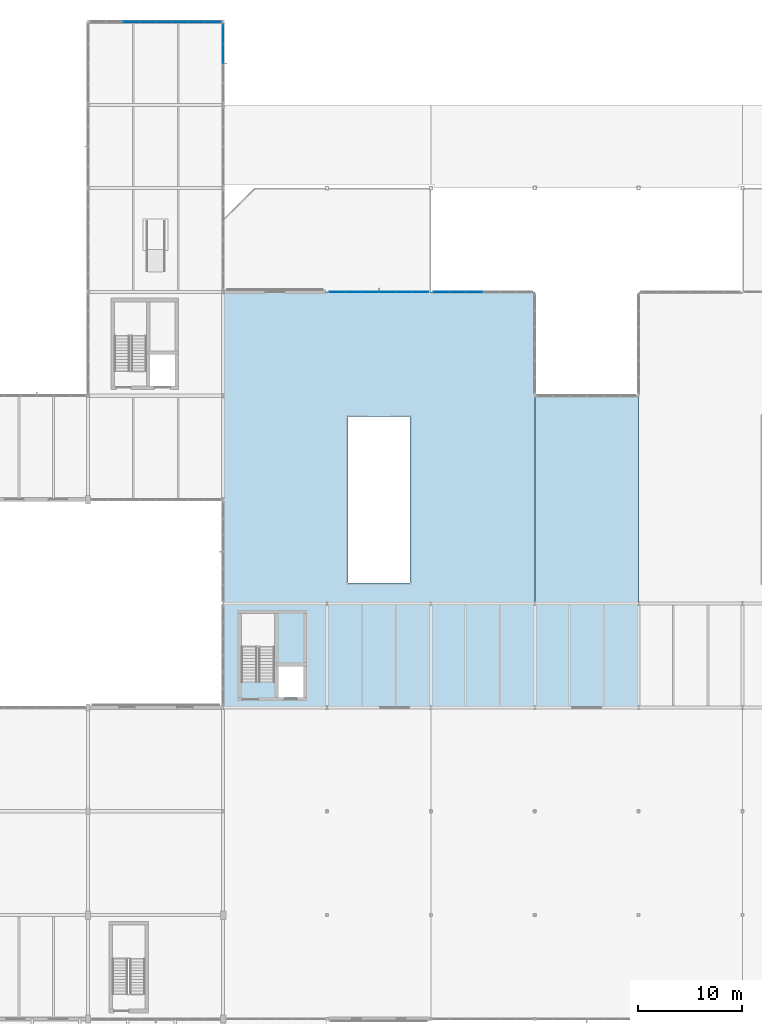
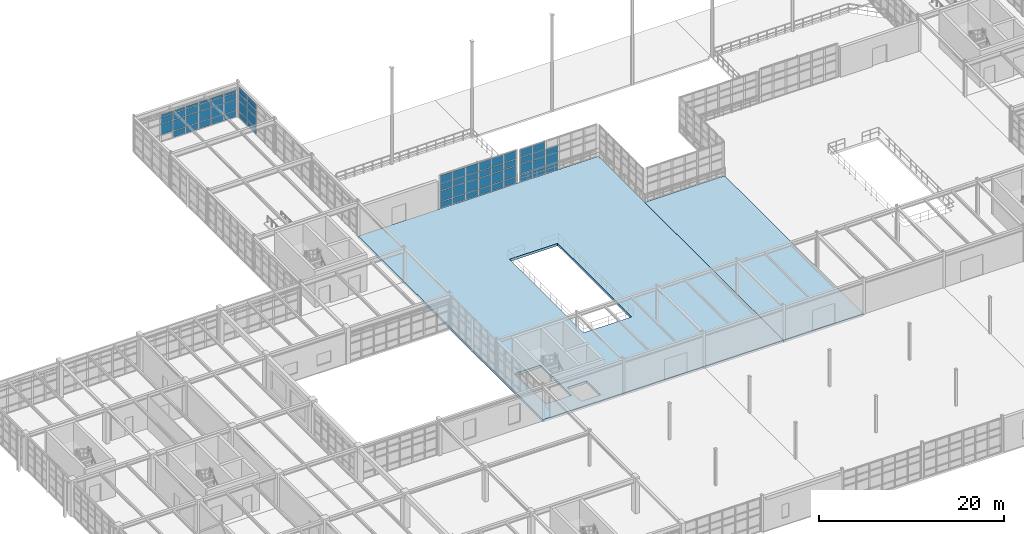
# One storey, part 93 of 139: 66 plates, 2 slabs, 4 elements without a shape of their own.
"""IFC4 building model written with IfcOpenShell, lengths in metres."""

from ifc_helpers import new_model, si_unit, direction, frame, origin, origin_2d, place, context, subcontext, project, spatial, polyline, rectangle, outline, extrude, material, layer, layer_set, type_object, element, aggregate, save


model = new_model("IFC4")

# Units and contexts
model_context = context("Model", 3, precision=1e-05, world=origin(), true_north=direction((0.0, 1.0)))
body_context = subcontext(model_context, "Body", "Model", "MODEL_VIEW")
ifc_project = project(units=[si_unit("LENGTHUNIT", "METRE"), si_unit("AREAUNIT", "SQUARE_METRE"), si_unit("VOLUMEUNIT", "CUBIC_METRE"), si_unit("PLANEANGLEUNIT", "RADIAN"), si_unit("MASSUNIT", "GRAM", prefix="KILO"), si_unit("THERMODYNAMICTEMPERATUREUNIT", "KELVIN"), si_unit("POWERUNIT", "WATT")], contexts=[model_context])

# Site, building, storey
site_placement = place(None, origin())
site = spatial("IfcSite", under=ifc_project, at=site_placement, CompositionType="ELEMENT")
building_placement = place(site_placement, origin())
building = spatial("IfcBuilding", under=site, at=building_placement, Name="Korenveer Ferry Terminal", CompositionType="ELEMENT")
storey_placement = place(building_placement, frame((0.0, 0.0, 5.39990234375)))
storey = spatial("IfcBuildingStorey", under=building, at=storey_placement, Name="L01", CompositionType="ELEMENT", Elevation=5.39990234375)

# Curtain wall, plates
ifc_material_1 = material(Name="Unitised bronze-and-glass curtain wall", Category="glass")
ifc_layer_1 = layer(ifc_material_1, 0.219970703125)
ifc_layer_set_1 = layer_set([ifc_layer_1], Name="Unitised bronze-and-glass curtain wall")
curtain_wall_type_1 = type_object("IfcCurtainWallType", Name="ENV-CW-52", PredefinedType="USERDEFINED", material=ifc_layer_set_1)
curtain_wall_1_placement = place(storey_placement, frame((63.179931640625, 90.0, 0.0)))
curtain_wall_1 = element("IfcCurtainWall", 1, at=curtain_wall_1_placement, inside=storey, type_object=curtain_wall_type_1, Name="Lancet curtain wall CWX-L01-X63-73-Y90-90", ObjectType="UNITISED CURTAIN WALL", PredefinedType="USERDEFINED")
ifc_material_2 = material(Name="Acoustic laminated marine glazing", Category="glass")
ifc_layer_2 = layer(ifc_material_2, 0.035888671875)
ifc_layer_set_2 = layer_set([ifc_layer_2], Name="Acoustic laminated marine glazing")
plate_type = type_object("IfcPlateType", Name="ENV-CWP-GLZ36", PredefinedType="CURTAIN_PANEL", material=ifc_layer_set_2)
plate_1_placement = place(storey_placement, frame((64.002197265625, 90.0, 0.074951171875), z_axis=(0.0, 0.0, 1.0), x_axis=(1.0, 0.0, 0.0)))
plate_1 = element("IfcPlate", 2, at=plate_1_placement, type_object=plate_type, Name="CW-52 panel 1.1", PredefinedType="CURTAIN_PANEL", context=body_context, shape_type="SweptSolid", body=[
    extrude(rectangle(XDim=1.494140625, YDim=0.035888671875, at=origin_2d()), origin(), (0.0, 0.0, 1.0), 0.78759765625),
])
plate_2_placement = place(storey_placement, frame((64.002197265625, 90.0, 0.9375), z_axis=(0.0, 0.0, 1.0), x_axis=(1.0, 0.0, 0.0)))
plate_2 = element("IfcPlate", 3, at=plate_2_placement, type_object=plate_type, Name="CW-52 panel 1.2", PredefinedType="CURTAIN_PANEL", context=body_context, shape_type="SweptSolid", body=[
    extrude(rectangle(XDim=1.494140625, YDim=0.035888671875, at=origin_2d()), origin(), (0.0, 0.0, 1.0), 1.375),
])
plate_3_placement = place(storey_placement, frame((64.002197265625, 90.0, 2.3876953125), z_axis=(0.0, 0.0, 1.0), x_axis=(1.0, 0.0, 0.0)))
plate_3 = element("IfcPlate", 4, at=plate_3_placement, type_object=plate_type, Name="CW-52 panel 1.3", PredefinedType="CURTAIN_PANEL", context=body_context, shape_type="SweptSolid", body=[
    extrude(rectangle(XDim=1.494140625, YDim=0.035888671875, at=origin_2d()), origin(), (0.0, 0.0, 1.0), 0.824951171875),
])
plate_4_placement = place(storey_placement, frame((64.002197265625, 90.0, 3.28759765625), z_axis=(0.0, 0.0, 1.0), x_axis=(1.0, 0.0, 0.0)))
plate_4 = element("IfcPlate", 5, at=plate_4_placement, type_object=plate_type, Name="CW-52 panel 1.4", PredefinedType="CURTAIN_PANEL", context=body_context, shape_type="SweptSolid", body=[
    extrude(rectangle(XDim=1.494140625, YDim=0.035888671875, at=origin_2d()), origin(), (0.0, 0.0, 1.0), 1.097412109375),
])
plate_5_placement = place(storey_placement, frame((65.590087890625, 90.0, 0.074951171875), z_axis=(0.0, 0.0, 1.0), x_axis=(1.0, 0.0, 0.0)))
plate_5 = element("IfcPlate", 6, at=plate_5_placement, type_object=plate_type, Name="CW-52 panel 2.1", PredefinedType="CURTAIN_PANEL", context=body_context, shape_type="SweptSolid", body=[
    extrude(rectangle(XDim=1.53173828125, YDim=0.035888671875, at=origin_2d()), origin(), (0.0, 0.0, 1.0), 0.78759765625),
])
plate_6_placement = place(storey_placement, frame((65.590087890625, 90.0, 0.9375), z_axis=(0.0, 0.0, 1.0), x_axis=(1.0, 0.0, 0.0)))
plate_6 = element("IfcPlate", 7, at=plate_6_placement, type_object=plate_type, Name="CW-52 panel 2.2", PredefinedType="CURTAIN_PANEL", context=body_context, shape_type="SweptSolid", body=[
    extrude(rectangle(XDim=1.53173828125, YDim=0.035888671875, at=origin_2d()), origin(), (0.0, 0.0, 1.0), 1.375),
])
plate_7_placement = place(storey_placement, frame((65.590087890625, 90.0, 2.3876953125), z_axis=(0.0, 0.0, 1.0), x_axis=(1.0, 0.0, 0.0)))
plate_7 = element("IfcPlate", 8, at=plate_7_placement, type_object=plate_type, Name="CW-52 panel 2.3", PredefinedType="CURTAIN_PANEL", context=body_context, shape_type="SweptSolid", body=[
    extrude(rectangle(XDim=1.53173828125, YDim=0.035888671875, at=origin_2d()), origin(), (0.0, 0.0, 1.0), 0.824951171875),
])
plate_8_placement = place(storey_placement, frame((65.590087890625, 90.0, 3.28759765625), z_axis=(0.0, 0.0, 1.0), x_axis=(1.0, 0.0, 0.0)))
plate_8 = element("IfcPlate", 9, at=plate_8_placement, type_object=plate_type, Name="CW-52 panel 2.4", PredefinedType="CURTAIN_PANEL", context=body_context, shape_type="SweptSolid", body=[
    extrude(rectangle(XDim=1.53173828125, YDim=0.035888671875, at=origin_2d()), origin(), (0.0, 0.0, 1.0), 1.097412109375),
])
plate_9_placement = place(storey_placement, frame((67.19677734375, 90.0, 0.074951171875), z_axis=(0.0, 0.0, 1.0), x_axis=(1.0, 0.0, 0.0)))
plate_9 = element("IfcPlate", 10, at=plate_9_placement, type_object=plate_type, Name="CW-52 panel 3.1", PredefinedType="CURTAIN_PANEL", context=body_context, shape_type="SweptSolid", body=[
    extrude(rectangle(XDim=1.53173828125, YDim=0.035888671875, at=origin_2d()), origin(), (0.0, 0.0, 1.0), 0.78759765625),
])
plate_10_placement = place(storey_placement, frame((67.19677734375, 90.0, 0.9375), z_axis=(0.0, 0.0, 1.0), x_axis=(1.0, 0.0, 0.0)))
plate_10 = element("IfcPlate", 11, at=plate_10_placement, type_object=plate_type, Name="CW-52 panel 3.2", PredefinedType="CURTAIN_PANEL", context=body_context, shape_type="SweptSolid", body=[
    extrude(rectangle(XDim=1.53173828125, YDim=0.035888671875, at=origin_2d()), origin(), (0.0, 0.0, 1.0), 1.375),
])
plate_11_placement = place(storey_placement, frame((67.19677734375, 90.0, 2.3876953125), z_axis=(0.0, 0.0, 1.0), x_axis=(1.0, 0.0, 0.0)))
plate_11 = element("IfcPlate", 12, at=plate_11_placement, type_object=plate_type, Name="CW-52 panel 3.3", PredefinedType="CURTAIN_PANEL", context=body_context, shape_type="SweptSolid", body=[
    extrude(rectangle(XDim=1.53173828125, YDim=0.035888671875, at=origin_2d()), origin(), (0.0, 0.0, 1.0), 0.824951171875),
])
plate_12_placement = place(storey_placement, frame((67.19677734375, 90.0, 3.28759765625), z_axis=(0.0, 0.0, 1.0), x_axis=(1.0, 0.0, 0.0)))
plate_12 = element("IfcPlate", 13, at=plate_12_placement, type_object=plate_type, Name="CW-52 panel 3.4", PredefinedType="CURTAIN_PANEL", context=body_context, shape_type="SweptSolid", body=[
    extrude(rectangle(XDim=1.53173828125, YDim=0.035888671875, at=origin_2d()), origin(), (0.0, 0.0, 1.0), 1.097412109375),
])
plate_13_placement = place(storey_placement, frame((68.80322265625, 90.0, 0.074951171875), z_axis=(0.0, 0.0, 1.0), x_axis=(1.0, 0.0, 0.0)))
plate_13 = element("IfcPlate", 14, at=plate_13_placement, type_object=plate_type, Name="CW-52 panel 4.1", PredefinedType="CURTAIN_PANEL", context=body_context, shape_type="SweptSolid", body=[
    extrude(rectangle(XDim=1.53173828125, YDim=0.035888671875, at=origin_2d()), origin(), (0.0, 0.0, 1.0), 0.78759765625),
])
plate_14_placement = place(storey_placement, frame((68.80322265625, 90.0, 0.9375), z_axis=(0.0, 0.0, 1.0), x_axis=(1.0, 0.0, 0.0)))
plate_14 = element("IfcPlate", 15, at=plate_14_placement, type_object=plate_type, Name="CW-52 panel 4.2", PredefinedType="CURTAIN_PANEL", context=body_context, shape_type="SweptSolid", body=[
    extrude(rectangle(XDim=1.53173828125, YDim=0.035888671875, at=origin_2d()), origin(), (0.0, 0.0, 1.0), 1.375),
])
plate_15_placement = place(storey_placement, frame((68.80322265625, 90.0, 2.3876953125), z_axis=(0.0, 0.0, 1.0), x_axis=(1.0, 0.0, 0.0)))
plate_15 = element("IfcPlate", 16, at=plate_15_placement, type_object=plate_type, Name="CW-52 panel 4.3", PredefinedType="CURTAIN_PANEL", context=body_context, shape_type="SweptSolid", body=[
    extrude(rectangle(XDim=1.53173828125, YDim=0.035888671875, at=origin_2d()), origin(), (0.0, 0.0, 1.0), 0.824951171875),
])
plate_16_placement = place(storey_placement, frame((68.80322265625, 90.0, 3.28759765625), z_axis=(0.0, 0.0, 1.0), x_axis=(1.0, 0.0, 0.0)))
plate_16 = element("IfcPlate", 17, at=plate_16_placement, type_object=plate_type, Name="CW-52 panel 4.4", PredefinedType="CURTAIN_PANEL", context=body_context, shape_type="SweptSolid", body=[
    extrude(rectangle(XDim=1.53173828125, YDim=0.035888671875, at=origin_2d()), origin(), (0.0, 0.0, 1.0), 1.097412109375),
])
plate_17_placement = place(storey_placement, frame((70.409912109375, 90.0, 0.074951171875), z_axis=(0.0, 0.0, 1.0), x_axis=(1.0, 0.0, 0.0)))
plate_17 = element("IfcPlate", 18, at=plate_17_placement, type_object=plate_type, Name="CW-52 panel 5.1", PredefinedType="CURTAIN_PANEL", context=body_context, shape_type="SweptSolid", body=[
    extrude(rectangle(XDim=1.53173828125, YDim=0.035888671875, at=origin_2d()), origin(), (0.0, 0.0, 1.0), 0.78759765625),
])
plate_18_placement = place(storey_placement, frame((70.409912109375, 90.0, 0.9375), z_axis=(0.0, 0.0, 1.0), x_axis=(1.0, 0.0, 0.0)))
plate_18 = element("IfcPlate", 19, at=plate_18_placement, type_object=plate_type, Name="CW-52 panel 5.2", PredefinedType="CURTAIN_PANEL", context=body_context, shape_type="SweptSolid", body=[
    extrude(rectangle(XDim=1.53173828125, YDim=0.035888671875, at=origin_2d()), origin(), (0.0, 0.0, 1.0), 1.375),
])
plate_19_placement = place(storey_placement, frame((70.409912109375, 90.0, 2.3876953125), z_axis=(0.0, 0.0, 1.0), x_axis=(1.0, 0.0, 0.0)))
plate_19 = element("IfcPlate", 20, at=plate_19_placement, type_object=plate_type, Name="CW-52 panel 5.3", PredefinedType="CURTAIN_PANEL", context=body_context, shape_type="SweptSolid", body=[
    extrude(rectangle(XDim=1.53173828125, YDim=0.035888671875, at=origin_2d()), origin(), (0.0, 0.0, 1.0), 0.824951171875),
])
plate_20_placement = place(storey_placement, frame((70.409912109375, 90.0, 3.28759765625), z_axis=(0.0, 0.0, 1.0), x_axis=(1.0, 0.0, 0.0)))
plate_20 = element("IfcPlate", 21, at=plate_20_placement, type_object=plate_type, Name="CW-52 panel 5.4", PredefinedType="CURTAIN_PANEL", context=body_context, shape_type="SweptSolid", body=[
    extrude(rectangle(XDim=1.53173828125, YDim=0.035888671875, at=origin_2d()), origin(), (0.0, 0.0, 1.0), 1.097412109375),
])
plate_21_placement = place(storey_placement, frame((71.997802734375, 90.0, 0.074951171875), z_axis=(0.0, 0.0, 1.0), x_axis=(1.0, 0.0, 0.0)))
plate_21 = element("IfcPlate", 22, at=plate_21_placement, type_object=plate_type, Name="CW-52 panel 6.1", PredefinedType="CURTAIN_PANEL", context=body_context, shape_type="SweptSolid", body=[
    extrude(rectangle(XDim=1.494140625, YDim=0.035888671875, at=origin_2d()), origin(), (0.0, 0.0, 1.0), 0.78759765625),
])
plate_22_placement = place(storey_placement, frame((71.997802734375, 90.0, 0.9375), z_axis=(0.0, 0.0, 1.0), x_axis=(1.0, 0.0, 0.0)))
plate_22 = element("IfcPlate", 23, at=plate_22_placement, type_object=plate_type, Name="CW-52 panel 6.2", PredefinedType="CURTAIN_PANEL", context=body_context, shape_type="SweptSolid", body=[
    extrude(rectangle(XDim=1.494140625, YDim=0.035888671875, at=origin_2d()), origin(), (0.0, 0.0, 1.0), 1.375),
])
plate_23_placement = place(storey_placement, frame((71.997802734375, 90.0, 2.3876953125), z_axis=(0.0, 0.0, 1.0), x_axis=(1.0, 0.0, 0.0)))
plate_23 = element("IfcPlate", 24, at=plate_23_placement, type_object=plate_type, Name="CW-52 panel 6.3", PredefinedType="CURTAIN_PANEL", context=body_context, shape_type="SweptSolid", body=[
    extrude(rectangle(XDim=1.494140625, YDim=0.035888671875, at=origin_2d()), origin(), (0.0, 0.0, 1.0), 0.824951171875),
])
plate_24_placement = place(storey_placement, frame((71.997802734375, 90.0, 3.28759765625), z_axis=(0.0, 0.0, 1.0), x_axis=(1.0, 0.0, 0.0)))
plate_24 = element("IfcPlate", 25, at=plate_24_placement, type_object=plate_type, Name="CW-52 panel 6.4", PredefinedType="CURTAIN_PANEL", context=body_context, shape_type="SweptSolid", body=[
    extrude(rectangle(XDim=1.494140625, YDim=0.035888671875, at=origin_2d()), origin(), (0.0, 0.0, 1.0), 1.097412109375),
])
aggregate(curtain_wall_1, [plate_1, plate_2, plate_3, plate_4, plate_5, plate_6, plate_7, plate_8, plate_9, plate_10, plate_11, plate_12, plate_13, plate_14, plate_15, plate_16, plate_17, plate_18, plate_19, plate_20, plate_21, plate_22, plate_23, plate_24])

ifc_layer_3 = layer(ifc_material_1, 0.219970703125)
ifc_layer_set_3 = layer_set([ifc_layer_3], Name="Unitised bronze-and-glass curtain wall")
curtain_wall_type_2 = type_object("IfcCurtainWallType", Name="ENV-CW-54", PredefinedType="USERDEFINED", material=ifc_layer_set_3)
curtain_wall_2_placement = place(storey_placement, frame((73.179931640625, 90.0, 0.0)))
curtain_wall_2 = element("IfcCurtainWall", 26, at=curtain_wall_2_placement, inside=storey, type_object=curtain_wall_type_2, Name="Lancet curtain wall CWX-L01-X73-83-Y90-90", ObjectType="UNITISED CURTAIN WALL", PredefinedType="USERDEFINED")
plate_25_placement = place(storey_placement, frame((74.002197265625, 90.0, 0.074951171875), z_axis=(0.0, 0.0, 1.0), x_axis=(1.0, 0.0, 0.0)))
plate_25 = element("IfcPlate", 27, at=plate_25_placement, type_object=plate_type, Name="CW-54 panel 1.1", PredefinedType="CURTAIN_PANEL", context=body_context, shape_type="SweptSolid", body=[
    extrude(rectangle(XDim=1.494140625, YDim=0.035888671875, at=origin_2d()), origin(), (0.0, 0.0, 1.0), 0.78759765625),
])
plate_26_placement = place(storey_placement, frame((74.002197265625, 90.0, 0.9375), z_axis=(0.0, 0.0, 1.0), x_axis=(1.0, 0.0, 0.0)))
plate_26 = element("IfcPlate", 28, at=plate_26_placement, type_object=plate_type, Name="CW-54 panel 1.2", PredefinedType="CURTAIN_PANEL", context=body_context, shape_type="SweptSolid", body=[
    extrude(rectangle(XDim=1.494140625, YDim=0.035888671875, at=origin_2d()), origin(), (0.0, 0.0, 1.0), 1.375),
])
plate_27_placement = place(storey_placement, frame((74.002197265625, 90.0, 2.3876953125), z_axis=(0.0, 0.0, 1.0), x_axis=(1.0, 0.0, 0.0)))
plate_27 = element("IfcPlate", 29, at=plate_27_placement, type_object=plate_type, Name="CW-54 panel 1.3", PredefinedType="CURTAIN_PANEL", context=body_context, shape_type="SweptSolid", body=[
    extrude(rectangle(XDim=1.494140625, YDim=0.035888671875, at=origin_2d()), origin(), (0.0, 0.0, 1.0), 0.824951171875),
])
plate_28_placement = place(storey_placement, frame((74.002197265625, 90.0, 3.28759765625), z_axis=(0.0, 0.0, 1.0), x_axis=(1.0, 0.0, 0.0)))
plate_28 = element("IfcPlate", 30, at=plate_28_placement, type_object=plate_type, Name="CW-54 panel 1.4", PredefinedType="CURTAIN_PANEL", context=body_context, shape_type="SweptSolid", body=[
    extrude(rectangle(XDim=1.494140625, YDim=0.035888671875, at=origin_2d()), origin(), (0.0, 0.0, 1.0), 0.99755859375),
])
plate_29_placement = place(storey_placement, frame((75.590087890625, 90.0, 0.074951171875), z_axis=(0.0, 0.0, 1.0), x_axis=(1.0, 0.0, 0.0)))
plate_29 = element("IfcPlate", 31, at=plate_29_placement, type_object=plate_type, Name="CW-54 panel 2.1", PredefinedType="CURTAIN_PANEL", context=body_context, shape_type="SweptSolid", body=[
    extrude(rectangle(XDim=1.53173828125, YDim=0.035888671875, at=origin_2d()), origin(), (0.0, 0.0, 1.0), 0.78759765625),
])
plate_30_placement = place(storey_placement, frame((75.590087890625, 90.0, 0.9375), z_axis=(0.0, 0.0, 1.0), x_axis=(1.0, 0.0, 0.0)))
plate_30 = element("IfcPlate", 32, at=plate_30_placement, type_object=plate_type, Name="CW-54 panel 2.2", PredefinedType="CURTAIN_PANEL", context=body_context, shape_type="SweptSolid", body=[
    extrude(rectangle(XDim=1.53173828125, YDim=0.035888671875, at=origin_2d()), origin(), (0.0, 0.0, 1.0), 1.375),
])
plate_31_placement = place(storey_placement, frame((75.590087890625, 90.0, 2.3876953125), z_axis=(0.0, 0.0, 1.0), x_axis=(1.0, 0.0, 0.0)))
plate_31 = element("IfcPlate", 33, at=plate_31_placement, type_object=plate_type, Name="CW-54 panel 2.3", PredefinedType="CURTAIN_PANEL", context=body_context, shape_type="SweptSolid", body=[
    extrude(rectangle(XDim=1.53173828125, YDim=0.035888671875, at=origin_2d()), origin(), (0.0, 0.0, 1.0), 0.824951171875),
])
plate_32_placement = place(storey_placement, frame((75.590087890625, 90.0, 3.28759765625), z_axis=(0.0, 0.0, 1.0), x_axis=(1.0, 0.0, 0.0)))
plate_32 = element("IfcPlate", 34, at=plate_32_placement, type_object=plate_type, Name="CW-54 panel 2.4", PredefinedType="CURTAIN_PANEL", context=body_context, shape_type="SweptSolid", body=[
    extrude(rectangle(XDim=1.53173828125, YDim=0.035888671875, at=origin_2d()), origin(), (0.0, 0.0, 1.0), 0.99755859375),
])
plate_33_placement = place(storey_placement, frame((77.19677734375, 90.0, 0.074951171875), z_axis=(0.0, 0.0, 1.0), x_axis=(1.0, 0.0, 0.0)))
plate_33 = element("IfcPlate", 35, at=plate_33_placement, type_object=plate_type, Name="CW-54 panel 3.1", PredefinedType="CURTAIN_PANEL", context=body_context, shape_type="SweptSolid", body=[
    extrude(rectangle(XDim=1.53173828125, YDim=0.035888671875, at=origin_2d()), origin(), (0.0, 0.0, 1.0), 0.78759765625),
])
plate_34_placement = place(storey_placement, frame((77.19677734375, 90.0, 0.9375), z_axis=(0.0, 0.0, 1.0), x_axis=(1.0, 0.0, 0.0)))
plate_34 = element("IfcPlate", 36, at=plate_34_placement, type_object=plate_type, Name="CW-54 panel 3.2", PredefinedType="CURTAIN_PANEL", context=body_context, shape_type="SweptSolid", body=[
    extrude(rectangle(XDim=1.53173828125, YDim=0.035888671875, at=origin_2d()), origin(), (0.0, 0.0, 1.0), 1.375),
])
plate_35_placement = place(storey_placement, frame((77.19677734375, 90.0, 2.3876953125), z_axis=(0.0, 0.0, 1.0), x_axis=(1.0, 0.0, 0.0)))
plate_35 = element("IfcPlate", 37, at=plate_35_placement, type_object=plate_type, Name="CW-54 panel 3.3", PredefinedType="CURTAIN_PANEL", context=body_context, shape_type="SweptSolid", body=[
    extrude(rectangle(XDim=1.53173828125, YDim=0.035888671875, at=origin_2d()), origin(), (0.0, 0.0, 1.0), 0.824951171875),
])
aggregate(curtain_wall_2, [plate_25, plate_26, plate_27, plate_28, plate_29, plate_30, plate_31, plate_32, plate_33, plate_34, plate_35])

ifc_layer_4 = layer(ifc_material_1, 0.219970703125)
ifc_layer_set_4 = layer_set([ifc_layer_4], Name="Unitised bronze-and-glass curtain wall")
curtain_wall_type_3 = type_object("IfcCurtainWallType", Name="ENV-CW-56", PredefinedType="USERDEFINED", material=ifc_layer_set_4)
curtain_wall_3_placement = place(storey_placement, frame((40.16650390625, 116.0, 0.0)))
curtain_wall_3 = element("IfcCurtainWall", 38, at=curtain_wall_3_placement, inside=storey, type_object=curtain_wall_type_3, Name="Lancet curtain wall CWX-L01-X40-53-Y116-116", ObjectType="UNITISED CURTAIN WALL", PredefinedType="USERDEFINED")
plate_36_placement = place(storey_placement, frame((44.12060546875, 116.0, 0.9375), z_axis=(0.0, 0.0, 1.0), x_axis=(1.0, 0.0, 0.0)))
plate_36 = element("IfcPlate", 39, at=plate_36_placement, type_object=plate_type, Name="CW-56 panel 3.2", PredefinedType="CURTAIN_PANEL", context=body_context, shape_type="SweptSolid", body=[
    extrude(rectangle(XDim=1.506591796875, YDim=0.035888671875, at=origin_2d()), origin(), (0.0, 0.0, 1.0), 1.375),
])
plate_37_placement = place(storey_placement, frame((44.12060546875, 116.0, 2.3876953125), z_axis=(0.0, 0.0, 1.0), x_axis=(1.0, 0.0, 0.0)))
plate_37 = element("IfcPlate", 40, at=plate_37_placement, type_object=plate_type, Name="CW-56 panel 3.3", PredefinedType="CURTAIN_PANEL", context=body_context, shape_type="SweptSolid", body=[
    extrude(rectangle(XDim=1.506591796875, YDim=0.035888671875, at=origin_2d()), origin(), (0.0, 0.0, 1.0), 0.824951171875),
])
plate_38_placement = place(storey_placement, frame((44.12060546875, 116.0, 3.28759765625), z_axis=(0.0, 0.0, 1.0), x_axis=(1.0, 0.0, 0.0)))
plate_38 = element("IfcPlate", 41, at=plate_38_placement, type_object=plate_type, Name="CW-56 panel 3.4", PredefinedType="CURTAIN_PANEL", context=body_context, shape_type="SweptSolid", body=[
    extrude(rectangle(XDim=1.506591796875, YDim=0.035888671875, at=origin_2d()), origin(), (0.0, 0.0, 1.0), 0.3076171875),
])
plate_39_placement = place(storey_placement, frame((45.702392578125, 116.0, 0.074951171875), z_axis=(0.0, 0.0, 1.0), x_axis=(1.0, 0.0, 0.0)))
plate_39 = element("IfcPlate", 42, at=plate_39_placement, type_object=plate_type, Name="CW-56 panel 4.1", PredefinedType="CURTAIN_PANEL", context=body_context, shape_type="SweptSolid", body=[
    extrude(rectangle(XDim=1.506591796875, YDim=0.035888671875, at=origin_2d()), origin(), (0.0, 0.0, 1.0), 0.78759765625),
])
plate_40_placement = place(storey_placement, frame((45.702392578125, 116.0, 0.9375), z_axis=(0.0, 0.0, 1.0), x_axis=(1.0, 0.0, 0.0)))
plate_40 = element("IfcPlate", 43, at=plate_40_placement, type_object=plate_type, Name="CW-56 panel 4.2", PredefinedType="CURTAIN_PANEL", context=body_context, shape_type="SweptSolid", body=[
    extrude(rectangle(XDim=1.506591796875, YDim=0.035888671875, at=origin_2d()), origin(), (0.0, 0.0, 1.0), 1.375),
])
plate_41_placement = place(storey_placement, frame((45.702392578125, 116.0, 2.3876953125), z_axis=(0.0, 0.0, 1.0), x_axis=(1.0, 0.0, 0.0)))
plate_41 = element("IfcPlate", 44, at=plate_41_placement, type_object=plate_type, Name="CW-56 panel 4.3", PredefinedType="CURTAIN_PANEL", context=body_context, shape_type="SweptSolid", body=[
    extrude(rectangle(XDim=1.506591796875, YDim=0.035888671875, at=origin_2d()), origin(), (0.0, 0.0, 1.0), 0.824951171875),
])
plate_42_placement = place(storey_placement, frame((45.702392578125, 116.0, 3.28759765625), z_axis=(0.0, 0.0, 1.0), x_axis=(1.0, 0.0, 0.0)))
plate_42 = element("IfcPlate", 45, at=plate_42_placement, type_object=plate_type, Name="CW-56 panel 4.4", PredefinedType="CURTAIN_PANEL", context=body_context, shape_type="SweptSolid", body=[
    extrude(rectangle(XDim=1.506591796875, YDim=0.035888671875, at=origin_2d()), origin(), (0.0, 0.0, 1.0), 0.3076171875),
])
plate_43_placement = place(storey_placement, frame((47.2841796875, 116.0, 0.074951171875), z_axis=(0.0, 0.0, 1.0), x_axis=(1.0, 0.0, 0.0)))
plate_43 = element("IfcPlate", 46, at=plate_43_placement, type_object=plate_type, Name="CW-56 panel 5.1", PredefinedType="CURTAIN_PANEL", context=body_context, shape_type="SweptSolid", body=[
    extrude(rectangle(XDim=1.506591796875, YDim=0.035888671875, at=origin_2d()), origin(), (0.0, 0.0, 1.0), 0.78759765625),
])
plate_44_placement = place(storey_placement, frame((47.2841796875, 116.0, 0.9375), z_axis=(0.0, 0.0, 1.0), x_axis=(1.0, 0.0, 0.0)))
plate_44 = element("IfcPlate", 47, at=plate_44_placement, type_object=plate_type, Name="CW-56 panel 5.2", PredefinedType="CURTAIN_PANEL", context=body_context, shape_type="SweptSolid", body=[
    extrude(rectangle(XDim=1.506591796875, YDim=0.035888671875, at=origin_2d()), origin(), (0.0, 0.0, 1.0), 1.375),
])
plate_45_placement = place(storey_placement, frame((47.2841796875, 116.0, 2.3876953125), z_axis=(0.0, 0.0, 1.0), x_axis=(1.0, 0.0, 0.0)))
plate_45 = element("IfcPlate", 48, at=plate_45_placement, type_object=plate_type, Name="CW-56 panel 5.3", PredefinedType="CURTAIN_PANEL", context=body_context, shape_type="SweptSolid", body=[
    extrude(rectangle(XDim=1.506591796875, YDim=0.035888671875, at=origin_2d()), origin(), (0.0, 0.0, 1.0), 0.824951171875),
])
plate_46_placement = place(storey_placement, frame((47.2841796875, 116.0, 3.28759765625), z_axis=(0.0, 0.0, 1.0), x_axis=(1.0, 0.0, 0.0)))
plate_46 = element("IfcPlate", 49, at=plate_46_placement, type_object=plate_type, Name="CW-56 panel 5.4", PredefinedType="CURTAIN_PANEL", context=body_context, shape_type="SweptSolid", body=[
    extrude(rectangle(XDim=1.506591796875, YDim=0.035888671875, at=origin_2d()), origin(), (0.0, 0.0, 1.0), 0.3076171875),
])
plate_47_placement = place(storey_placement, frame((48.86572265625, 116.0, 0.074951171875), z_axis=(0.0, 0.0, 1.0), x_axis=(1.0, 0.0, 0.0)))
plate_47 = element("IfcPlate", 50, at=plate_47_placement, type_object=plate_type, Name="CW-56 panel 6.1", PredefinedType="CURTAIN_PANEL", context=body_context, shape_type="SweptSolid", body=[
    extrude(rectangle(XDim=1.506591796875, YDim=0.035888671875, at=origin_2d()), origin(), (0.0, 0.0, 1.0), 0.78759765625),
])
plate_48_placement = place(storey_placement, frame((48.86572265625, 116.0, 0.9375), z_axis=(0.0, 0.0, 1.0), x_axis=(1.0, 0.0, 0.0)))
plate_48 = element("IfcPlate", 51, at=plate_48_placement, type_object=plate_type, Name="CW-56 panel 6.2", PredefinedType="CURTAIN_PANEL", context=body_context, shape_type="SweptSolid", body=[
    extrude(rectangle(XDim=1.506591796875, YDim=0.035888671875, at=origin_2d()), origin(), (0.0, 0.0, 1.0), 1.375),
])
plate_49_placement = place(storey_placement, frame((48.86572265625, 116.0, 2.3876953125), z_axis=(0.0, 0.0, 1.0), x_axis=(1.0, 0.0, 0.0)))
plate_49 = element("IfcPlate", 52, at=plate_49_placement, type_object=plate_type, Name="CW-56 panel 6.3", PredefinedType="CURTAIN_PANEL", context=body_context, shape_type="SweptSolid", body=[
    extrude(rectangle(XDim=1.506591796875, YDim=0.035888671875, at=origin_2d()), origin(), (0.0, 0.0, 1.0), 0.824951171875),
])
plate_50_placement = place(storey_placement, frame((48.86572265625, 116.0, 3.28759765625), z_axis=(0.0, 0.0, 1.0), x_axis=(1.0, 0.0, 0.0)))
plate_50 = element("IfcPlate", 53, at=plate_50_placement, type_object=plate_type, Name="CW-56 panel 6.4", PredefinedType="CURTAIN_PANEL", context=body_context, shape_type="SweptSolid", body=[
    extrude(rectangle(XDim=1.506591796875, YDim=0.035888671875, at=origin_2d()), origin(), (0.0, 0.0, 1.0), 0.3076171875),
])
plate_51_placement = place(storey_placement, frame((50.447509765625, 116.0, 0.074951171875), z_axis=(0.0, 0.0, 1.0), x_axis=(1.0, 0.0, 0.0)))
plate_51 = element("IfcPlate", 54, at=plate_51_placement, type_object=plate_type, Name="CW-56 panel 7.1", PredefinedType="CURTAIN_PANEL", context=body_context, shape_type="SweptSolid", body=[
    extrude(rectangle(XDim=1.506591796875, YDim=0.035888671875, at=origin_2d()), origin(), (0.0, 0.0, 1.0), 0.78759765625),
])
plate_52_placement = place(storey_placement, frame((50.447509765625, 116.0, 0.9375), z_axis=(0.0, 0.0, 1.0), x_axis=(1.0, 0.0, 0.0)))
plate_52 = element("IfcPlate", 55, at=plate_52_placement, type_object=plate_type, Name="CW-56 panel 7.2", PredefinedType="CURTAIN_PANEL", context=body_context, shape_type="SweptSolid", body=[
    extrude(rectangle(XDim=1.506591796875, YDim=0.035888671875, at=origin_2d()), origin(), (0.0, 0.0, 1.0), 1.375),
])
plate_53_placement = place(storey_placement, frame((50.447509765625, 116.0, 2.3876953125), z_axis=(0.0, 0.0, 1.0), x_axis=(1.0, 0.0, 0.0)))
plate_53 = element("IfcPlate", 56, at=plate_53_placement, type_object=plate_type, Name="CW-56 panel 7.3", PredefinedType="CURTAIN_PANEL", context=body_context, shape_type="SweptSolid", body=[
    extrude(rectangle(XDim=1.506591796875, YDim=0.035888671875, at=origin_2d()), origin(), (0.0, 0.0, 1.0), 0.824951171875),
])
plate_54_placement = place(storey_placement, frame((50.447509765625, 116.0, 3.28759765625), z_axis=(0.0, 0.0, 1.0), x_axis=(1.0, 0.0, 0.0)))
plate_54 = element("IfcPlate", 57, at=plate_54_placement, type_object=plate_type, Name="CW-56 panel 7.4", PredefinedType="CURTAIN_PANEL", context=body_context, shape_type="SweptSolid", body=[
    extrude(rectangle(XDim=1.506591796875, YDim=0.035888671875, at=origin_2d()), origin(), (0.0, 0.0, 1.0), 0.3076171875),
])
plate_55_placement = place(storey_placement, frame((52.010498046875, 116.0, 0.074951171875), z_axis=(0.0, 0.0, 1.0), x_axis=(1.0, 0.0, 0.0)))
plate_55 = element("IfcPlate", 58, at=plate_55_placement, type_object=plate_type, Name="CW-56 panel 8.1", PredefinedType="CURTAIN_PANEL", context=body_context, shape_type="SweptSolid", body=[
    extrude(rectangle(XDim=1.46923828125, YDim=0.035888671875, at=origin_2d()), origin(), (0.0, 0.0, 1.0), 0.78759765625),
])
plate_56_placement = place(storey_placement, frame((52.010498046875, 116.0, 0.9375), z_axis=(0.0, 0.0, 1.0), x_axis=(1.0, 0.0, 0.0)))
plate_56 = element("IfcPlate", 59, at=plate_56_placement, type_object=plate_type, Name="CW-56 panel 8.2", PredefinedType="CURTAIN_PANEL", context=body_context, shape_type="SweptSolid", body=[
    extrude(rectangle(XDim=1.46923828125, YDim=0.035888671875, at=origin_2d()), origin(), (0.0, 0.0, 1.0), 1.375),
])
plate_57_placement = place(storey_placement, frame((52.010498046875, 116.0, 2.3876953125), z_axis=(0.0, 0.0, 1.0), x_axis=(1.0, 0.0, 0.0)))
plate_57 = element("IfcPlate", 60, at=plate_57_placement, type_object=plate_type, Name="CW-56 panel 8.3", PredefinedType="CURTAIN_PANEL", context=body_context, shape_type="SweptSolid", body=[
    extrude(rectangle(XDim=1.46923828125, YDim=0.035888671875, at=origin_2d()), origin(), (0.0, 0.0, 1.0), 0.824951171875),
])
plate_58_placement = place(storey_placement, frame((52.010498046875, 116.0, 3.28759765625), z_axis=(0.0, 0.0, 1.0), x_axis=(1.0, 0.0, 0.0)))
plate_58 = element("IfcPlate", 61, at=plate_58_placement, type_object=plate_type, Name="CW-56 panel 8.4", PredefinedType="CURTAIN_PANEL", context=body_context, shape_type="SweptSolid", body=[
    extrude(rectangle(XDim=1.46923828125, YDim=0.035888671875, at=origin_2d()), origin(), (0.0, 0.0, 1.0), 0.3076171875),
])
aggregate(curtain_wall_3, [plate_36, plate_37, plate_38, plate_39, plate_40, plate_41, plate_42, plate_43, plate_44, plate_45, plate_46, plate_47, plate_48, plate_49, plate_50, plate_51, plate_52, plate_53, plate_54, plate_55, plate_56, plate_57, plate_58])

ifc_layer_5 = layer(ifc_material_1, 0.219970703125)
ifc_layer_set_5 = layer_set([ifc_layer_5], Name="Unitised bronze-and-glass curtain wall")
curtain_wall_type_4 = type_object("IfcCurtainWallType", Name="ENV-CW-72", PredefinedType="USERDEFINED", material=ifc_layer_set_5)
curtain_wall_4_placement = place(storey_placement, frame((53.0, 115.7900390625, 0.0)))
curtain_wall_4 = element("IfcCurtainWall", 62, at=curtain_wall_4_placement, inside=storey, type_object=curtain_wall_type_4, Name="Lancet curtain wall CWX-L01-X53-53-Y108-116", ObjectType="UNITISED CURTAIN WALL", PredefinedType="USERDEFINED")
plate_59_placement = place(storey_placement, frame((53.0, 114.82373046875, 0.074951171875), z_axis=(0.0, 0.0, 1.0), x_axis=(0.0, -1.0, 0.0)))
plate_59 = element("IfcPlate", 63, at=plate_59_placement, type_object=plate_type, Name="CW-72 panel 1.1", PredefinedType="CURTAIN_PANEL", context=body_context, shape_type="SweptSolid", body=[
    extrude(rectangle(XDim=1.782470703125, YDim=0.035888671875, at=origin_2d()), origin(), (0.0, 0.0, 1.0), 0.78759765625),
])
plate_60_placement = place(storey_placement, frame((53.0, 114.82373046875, 0.9375), z_axis=(0.0, 0.0, 1.0), x_axis=(0.0, -1.0, 0.0)))
plate_60 = element("IfcPlate", 64, at=plate_60_placement, type_object=plate_type, Name="CW-72 panel 1.2", PredefinedType="CURTAIN_PANEL", context=body_context, shape_type="SweptSolid", body=[
    extrude(rectangle(XDim=1.782470703125, YDim=0.035888671875, at=origin_2d()), origin(), (0.0, 0.0, 1.0), 1.375),
])
plate_61_placement = place(storey_placement, frame((53.0, 114.82373046875, 2.3876953125), z_axis=(0.0, 0.0, 1.0), x_axis=(0.0, -1.0, 0.0)))
plate_61 = element("IfcPlate", 65, at=plate_61_placement, type_object=plate_type, Name="CW-72 panel 1.3", PredefinedType="CURTAIN_PANEL", context=body_context, shape_type="SweptSolid", body=[
    extrude(rectangle(XDim=1.782470703125, YDim=0.035888671875, at=origin_2d()), origin(), (0.0, 0.0, 1.0), 0.824951171875),
])
plate_62_placement = place(storey_placement, frame((53.0, 114.82373046875, 3.28759765625), z_axis=(0.0, 0.0, 1.0), x_axis=(0.0, -1.0, 0.0)))
plate_62 = element("IfcPlate", 66, at=plate_62_placement, type_object=plate_type, Name="CW-72 panel 1.4", PredefinedType="CURTAIN_PANEL", context=body_context, shape_type="SweptSolid", body=[
    extrude(rectangle(XDim=1.782470703125, YDim=0.035888671875, at=origin_2d()), origin(), (0.0, 0.0, 1.0), 0.767578125),
])
plate_63_placement = place(storey_placement, frame((53.0, 112.947509765625, 0.074951171875), z_axis=(0.0, 0.0, 1.0), x_axis=(0.0, -1.0, 0.0)))
plate_63 = element("IfcPlate", 67, at=plate_63_placement, type_object=plate_type, Name="CW-72 panel 2.1", PredefinedType="CURTAIN_PANEL", context=body_context, shape_type="SweptSolid", body=[
    extrude(rectangle(XDim=1.820068359375, YDim=0.035888671875, at=origin_2d()), origin(), (0.0, 0.0, 1.0), 0.78759765625),
])
plate_64_placement = place(storey_placement, frame((53.0, 112.947509765625, 0.9375), z_axis=(0.0, 0.0, 1.0), x_axis=(0.0, -1.0, 0.0)))
plate_64 = element("IfcPlate", 68, at=plate_64_placement, type_object=plate_type, Name="CW-72 panel 2.2", PredefinedType="CURTAIN_PANEL", context=body_context, shape_type="SweptSolid", body=[
    extrude(rectangle(XDim=1.820068359375, YDim=0.035888671875, at=origin_2d()), origin(), (0.0, 0.0, 1.0), 1.375),
])
plate_65_placement = place(storey_placement, frame((53.0, 112.947509765625, 2.3876953125), z_axis=(0.0, 0.0, 1.0), x_axis=(0.0, -1.0, 0.0)))
plate_65 = element("IfcPlate", 69, at=plate_65_placement, type_object=plate_type, Name="CW-72 panel 2.3", PredefinedType="CURTAIN_PANEL", context=body_context, shape_type="SweptSolid", body=[
    extrude(rectangle(XDim=1.820068359375, YDim=0.035888671875, at=origin_2d()), origin(), (0.0, 0.0, 1.0), 0.824951171875),
])
plate_66_placement = place(storey_placement, frame((53.0, 112.947509765625, 3.28759765625), z_axis=(0.0, 0.0, 1.0), x_axis=(0.0, -1.0, 0.0)))
plate_66 = element("IfcPlate", 70, at=plate_66_placement, type_object=plate_type, Name="CW-72 panel 2.4", PredefinedType="CURTAIN_PANEL", context=body_context, shape_type="SweptSolid", body=[
    extrude(rectangle(XDim=1.820068359375, YDim=0.035888671875, at=origin_2d()), origin(), (0.0, 0.0, 1.0), 0.767578125),
])
aggregate(curtain_wall_4, [plate_59, plate_60, plate_61, plate_62, plate_63, plate_64, plate_65, plate_66])

# Slabs
ifc_material_3 = material(Name="Concrete C35/45", Category="concrete")
ifc_layer_6 = layer(ifc_material_3, 0.320068359375)
ifc_layer_set_6 = layer_set([ifc_layer_6], Name="Concrete C35/45")
slab_type = type_object("IfcSlabType", Name="STR-SL-FLR320", PredefinedType="FLOOR", material=ifc_layer_set_6)
slab_1_placement = place(storey_placement, frame((0.0, 0.0, -0.31982421875)))
element("IfcSlab", 71, at=slab_1_placement, inside=storey, type_object=slab_type, Name="Floor slab SL-L01-DH1", PredefinedType="FLOOR", context=body_context, shape_type="SweptSolid", body=[
    extrude(outline(polyline([(53.0, 50.0), (83.0, 50.0), (83.0, 90.0), (53.0, 90.0), (53.0, 50.0)]), holes=[polyline([(57.9599609375, 52.4599609375), (57.9599609375, 59.0400390625), (54.760009765625, 59.0400390625), (54.760009765625, 52.4599609375), (57.9599609375, 52.4599609375)]), polyline([(58.320068359375, 50.9599609375), (60.719970703125, 50.9599609375), (60.719970703125, 53.9599609375), (58.320068359375, 53.9599609375), (58.320068359375, 50.9599609375)]), polyline([(65.0, 62.0), (71.0, 62.0), (71.0, 78.0), (65.0, 78.0), (65.0, 62.0)])]), origin(), (0.0, 0.0, 1.0), 0.31982421875),
])
slab_2_placement = place(storey_placement, frame((0.0, 0.0, -0.31982421875)))
element("IfcSlab", 72, at=slab_2_placement, inside=storey, type_object=slab_type, Name="Floor slab SL-L01-DH2", PredefinedType="FLOOR", context=body_context, shape_type="SweptSolid", body=[
    extrude(outline(polyline([(83.0, 50.0), (93.0, 50.0), (93.0, 80.0), (83.0, 80.0), (83.0, 50.0)])), origin(), (0.0, 0.0, 1.0), 0.31982421875),
])

save(model, "model.ifc")
